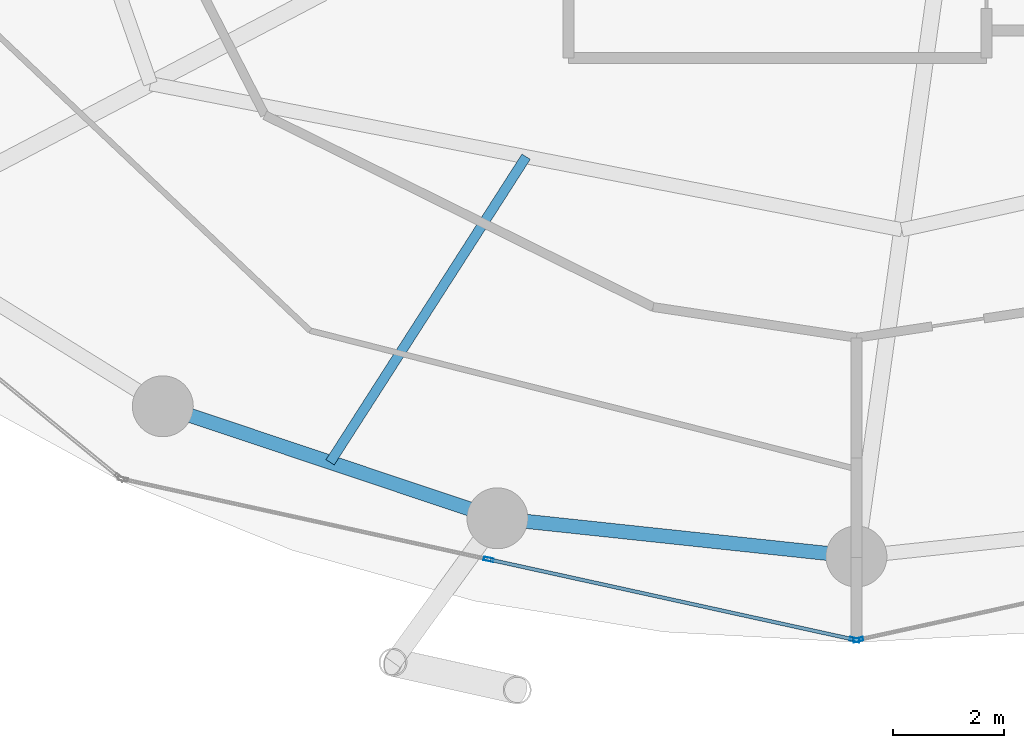
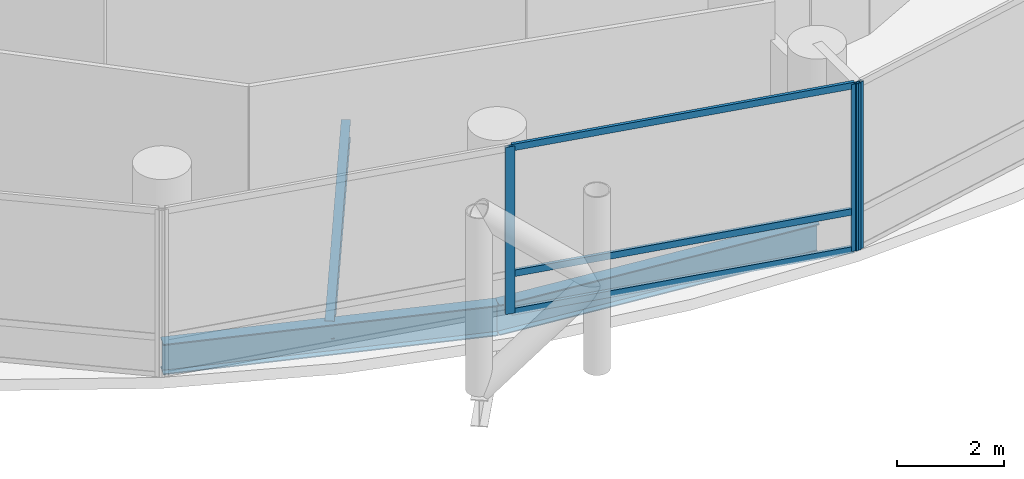
# One storey, part 4 of 24: 6 members, 3 beams, 2 elements without a shape of their own.
"""IFC4 building model written with IfcOpenShell, lengths in metres."""

from ifc_helpers import new_model, si_unit, direction, frame, origin, origin_2d, place, context, subcontext, project, spatial, hollow_rectangle, i_section, extrude, material, layer, layer_set, material_profile, profile_set, type_object, element, aggregate, save


model = new_model("IFC4")

# Units and contexts
model_context = context("Model", 3, precision=1e-05, world=origin(), true_north=direction((0.0, 1.0)))
body_context = subcontext(model_context, "Body", "Model", "MODEL_VIEW")
ifc_project = project(units=[si_unit("LENGTHUNIT", "METRE"), si_unit("AREAUNIT", "SQUARE_METRE"), si_unit("VOLUMEUNIT", "CUBIC_METRE"), si_unit("PLANEANGLEUNIT", "RADIAN"), si_unit("MASSUNIT", "GRAM", prefix="KILO")], contexts=[model_context])

# Site, building, storey
site_placement = place(None, origin())
site = spatial("IfcSite", under=ifc_project, at=site_placement, CompositionType="ELEMENT")
building_placement = place(site_placement, origin())
building = spatial("IfcBuilding", under=site, at=building_placement, Name="Nuhasar Tower", CompositionType="ELEMENT")
storey_placement = place(building_placement, frame((0.0, 0.0, 77.699951171875)))
storey = spatial("IfcBuildingStorey", under=building, at=storey_placement, Name="L18", CompositionType="ELEMENT", Elevation=77.699951171875)

# Beams
ifc_material_1 = material(Name="Steel S355", Category="steel")
ifc_material_profile_1 = material_profile(ifc_material_1, i_section(OverallWidth=0.177978515625, OverallDepth=0.406005859375, WebThickness=0.0078125, FlangeThickness=0.0126953125, at=origin_2d()), Name="W16X40")
ifc_profile_set_1 = profile_set([ifc_material_profile_1], Name="Steel S355")
beam_type_1 = type_object("IfcBeamType", Name="BM-JST-W16X40", PredefinedType="JOIST", material=ifc_profile_set_1)
beam_1_placement = place(storey_placement, frame((33.035888671875, 13.77001953125, -0.452880859375), z_axis=(-0.539944240715, -0.841700788237, 0.0), x_axis=(0.841700788237, -0.539944240715, 0.0)))
element("IfcBeam", 1, at=beam_1_placement, inside=storey, type_object=beam_type_1, Name="L18 Secondary Floor Joist 01", PredefinedType="JOIST", context=body_context, shape_type="SweptSolid", body=[
    extrude(i_section(OverallWidth=0.177978515625, OverallDepth=0.406005859375, WebThickness=0.0078125, FlangeThickness=0.0126953125, at=origin_2d()), origin(), (0.0, 0.0, 1.0), 6.555908203125),
])
ifc_material_profile_2 = material_profile(ifc_material_1, i_section(OverallWidth=0.256103515625, OverallDepth=0.693115234375, WebThickness=0.014404296875, FlangeThickness=0.023681640625, at=origin_2d()), Name="W27X114")
ifc_profile_set_2 = profile_set([ifc_material_profile_2], Name="Steel S355")
beam_type_2 = type_object("IfcBeamType", Name="BM-RING-W27X114", PredefinedType="SPANDREL", material=ifc_profile_set_2)
beam_2_placement = place(storey_placement, frame((26.47509765625, 9.262939453125, -0.596923828125), z_axis=(0.94826097201, -0.317491935271, 0.0), x_axis=(0.317491935271, 0.94826097201, 0.0)))
element("IfcBeam", 2, at=beam_2_placement, inside=storey, type_object=beam_type_2, Name="L18 Perimeter Ring Spandrel 17", PredefinedType="SPANDREL", context=body_context, shape_type="SweptSolid", body=[
    extrude(i_section(OverallWidth=0.256103515625, OverallDepth=0.693115234375, WebThickness=0.014404296875, FlangeThickness=0.023681640625, at=origin_2d()), origin(), (0.0, 0.0, 1.0), 6.37158203125),
])
beam_3_placement = place(storey_placement, frame((32.51708984375, 7.239990234375, -0.596923828125), z_axis=(0.994384554061, -0.105827022286, 0.0), x_axis=(0.105827022286, 0.994384554061, 0.0)))
element("IfcBeam", 3, at=beam_3_placement, inside=storey, type_object=beam_type_2, Name="L18 Perimeter Ring Spandrel 18", PredefinedType="SPANDREL", context=body_context, shape_type="SweptSolid", body=[
    extrude(i_section(OverallWidth=0.256103515625, OverallDepth=0.693115234375, WebThickness=0.014404296875, FlangeThickness=0.023681640625, at=origin_2d()), origin(), (0.0, 0.0, 1.0), 6.51953125),
])

# Curtain wall, members
ifc_material_2 = material(Name="Aluminium 6063-T6", Category="aluminium")
ifc_layer = layer(ifc_material_2, 0.199951171875)
ifc_layer_set = layer_set([ifc_layer], Name="Aluminium 6063-T6")
curtain_wall_type = type_object("IfcCurtainWallType", Name="CW-Z1-OFF", PredefinedType="NOTDEFINED", material=ifc_layer_set)
curtain_wall_1_placement = place(storey_placement, origin())
curtain_wall_1 = element("IfcCurtainWall", 4, at=curtain_wall_1_placement, inside=storey, type_object=curtain_wall_type, Name="L18 Unitised Curtain Wall 09", PredefinedType="NOTDEFINED")
ifc_material_profile_3 = material_profile(ifc_material_2, hollow_rectangle(XDim=0.06494140625, YDim=0.179931640625, WallThickness=0.0048828125, at=origin_2d()), Name="CWM-2")
ifc_profile_set_3 = profile_set([ifc_material_profile_3], Name="Aluminium 6063-T6")
member_type_1 = type_object("IfcMemberType", Name="CW-MUL-S2", PredefinedType="MULLION", material=ifc_profile_set_3)
member_1_placement = place(storey_placement, frame((32.360107421875, 6.49755859375, 0.0), z_axis=(0.0, 0.0, 1.0), x_axis=(0.214398737637, 0.976746221544, 0.0)))
member_1 = element("IfcMember", 5, at=member_1_placement, type_object=member_type_1, Name="CW-Z1 mullion 2", PredefinedType="MULLION", context=body_context, shape_type="SweptSolid", body=[
    extrude(hollow_rectangle(XDim=0.06494140625, YDim=0.179931640625, WallThickness=0.0048828125, at=origin_2d()), origin(), (0.0, 0.0, 1.0), 3.800048828125),
])
member_2_placement = place(storey_placement, frame((38.96826171875, 5.046875, 0.0), z_axis=(0.0, 0.0, 1.0), x_axis=(0.214398737637, 0.976746221544, 0.0)))
member_2 = element("IfcMember", 6, at=member_2_placement, type_object=member_type_1, Name="CW-Z1 mullion 3", PredefinedType="MULLION", context=body_context, shape_type="SweptSolid", body=[
    extrude(hollow_rectangle(XDim=0.06494140625, YDim=0.179931640625, WallThickness=0.0048828125, at=origin_2d()), origin(), (0.0, 0.0, 1.0), 3.800048828125),
])

# Curtain wall, member
curtain_wall_2_placement = place(storey_placement, origin())
curtain_wall_2 = element("IfcCurtainWall", 7, at=curtain_wall_2_placement, inside=storey, type_object=curtain_wall_type, Name="L18 Unitised Curtain Wall 10", PredefinedType="NOTDEFINED")
member_3_placement = place(storey_placement, frame((39.03173828125, 5.046875, 0.0), z_axis=(0.0, 0.0, 1.0), x_axis=(-0.214398737637, 0.976746221544, 0.0)))
member_3 = element("IfcMember", 8, at=member_3_placement, type_object=member_type_1, Name="CW-Z1 mullion 1", PredefinedType="MULLION", context=body_context, shape_type="SweptSolid", body=[
    extrude(hollow_rectangle(XDim=0.06494140625, YDim=0.179931640625, WallThickness=0.0048828125, at=origin_2d()), origin(), (0.0, 0.0, 1.0), 3.800048828125),
])
aggregate(curtain_wall_2, [member_3])

# Member
ifc_material_profile_4 = material_profile(ifc_material_2, hollow_rectangle(XDim=0.06494140625, YDim=0.14990234375, WallThickness=0.00439453125, at=origin_2d()), Name="CWT-2")
ifc_profile_set_4 = profile_set([ifc_material_profile_4], Name="Aluminium 6063-T6")
member_type_2 = type_object("IfcMemberType", Name="CW-TRN-S2", PredefinedType="USERDEFINED", material=ifc_profile_set_4)
member_4_placement = place(storey_placement, frame((32.391845703125, 6.490478515625, 0.032470703125), z_axis=(0.976747879138, -0.214391185916, 0.0), x_axis=(0.214391185916, 0.976747879138, 0.0)))
member_4 = element("IfcMember", 9, at=member_4_placement, type_object=member_type_2, Name="CW-Z1 transom 2.1", ObjectType="TRANSOM", PredefinedType="USERDEFINED", context=body_context, shape_type="SweptSolid", body=[
    extrude(hollow_rectangle(XDim=0.06494140625, YDim=0.14990234375, WallThickness=0.00439453125, at=origin_2d()), origin(), (0.0, 0.0, 1.0), 6.700439453125),
])

member_5_placement = place(storey_placement, frame((32.391845703125, 6.490478515625, 0.900146484375), z_axis=(0.976747879138, -0.214391185916, 0.0), x_axis=(0.214391185916, 0.976747879138, 0.0)))
member_5 = element("IfcMember", 10, at=member_5_placement, type_object=member_type_2, Name="CW-Z1 transom 2.2", ObjectType="TRANSOM", PredefinedType="USERDEFINED", context=body_context, shape_type="SweptSolid", body=[
    extrude(hollow_rectangle(XDim=0.06494140625, YDim=0.14990234375, WallThickness=0.00439453125, at=origin_2d()), origin(), (0.0, 0.0, 1.0), 6.700439453125),
])

member_6_placement = place(storey_placement, frame((32.391845703125, 6.490478515625, 3.767578125), z_axis=(0.976747879138, -0.214391185916, 0.0), x_axis=(0.214391185916, 0.976747879138, 0.0)))
member_6 = element("IfcMember", 11, at=member_6_placement, type_object=member_type_2, Name="CW-Z1 transom 2.3", ObjectType="TRANSOM", PredefinedType="USERDEFINED", context=body_context, shape_type="SweptSolid", body=[
    extrude(hollow_rectangle(XDim=0.06494140625, YDim=0.14990234375, WallThickness=0.00439453125, at=origin_2d()), origin(), (0.0, 0.0, 1.0), 6.700439453125),
])

aggregate(curtain_wall_1, [member_1, member_2, member_4, member_5, member_6])

save(model, "model.ifc")
